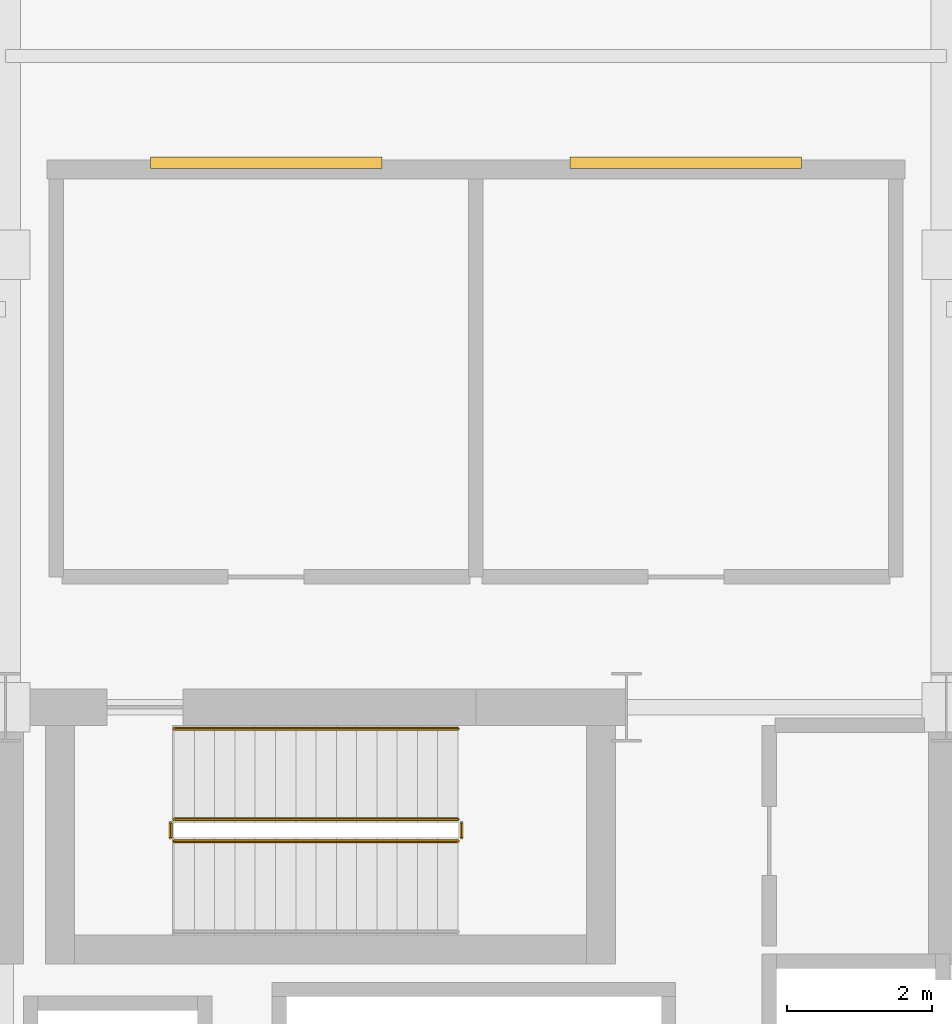
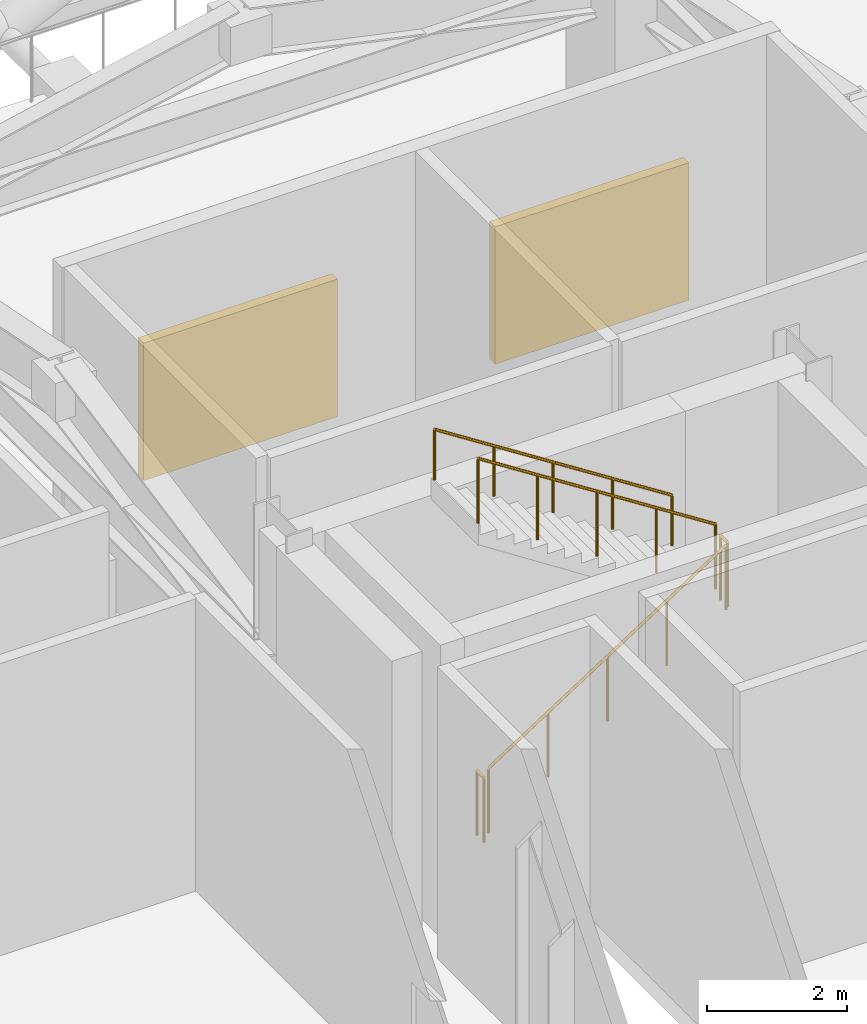
# One storey, part 8 of 9: 5 railings, 2 shading devices.
"""IFC4 building model written with IfcOpenShell, lengths in metres."""

from ifc_helpers import new_model, si_unit, direction, frame, origin, origin_2d, place, context, subcontext, project, spatial, rectangle, circle, extrude, material, type_object, element, save


model = new_model("IFC4")

# Units and contexts
model_context = context("Model", 3, precision=1e-05, world=origin(), true_north=direction((0.0, 1.0)))
body_context = subcontext(model_context, "Body", "Model", "MODEL_VIEW")
ifc_project = project(units=[si_unit("LENGTHUNIT", "METRE"), si_unit("AREAUNIT", "SQUARE_METRE"), si_unit("VOLUMEUNIT", "CUBIC_METRE"), si_unit("PLANEANGLEUNIT", "RADIAN"), si_unit("MASSUNIT", "GRAM", prefix="KILO")], contexts=[model_context])

# Site, building, storey
site_placement = place(None, origin())
site = spatial("IfcSite", under=ifc_project, at=site_placement, CompositionType="ELEMENT")
building_placement = place(site_placement, origin())
building = spatial("IfcBuilding", under=site, at=building_placement, Name="Barlavira Tower and Art Museum", CompositionType="ELEMENT")
storey_placement = place(building_placement, frame((0.0, 0.0, 93.60009765625)))
storey = spatial("IfcBuildingStorey", under=building, at=storey_placement, Name="L23", CompositionType="ELEMENT", Elevation=93.60009765625)

# Shading devices
ifc_material_1 = material(Name="Pale anodised aluminium", Category="aluminium")
shading_device_type = type_object("IfcShadingDeviceType", Name="Crown Acoustic Weatherproof Plant Louvre Panel", PredefinedType="USERDEFINED", material=ifc_material_1)
for number, where, z_axis, x_axis, name in (
    (1, (-2.89990234375, 15.02001953125, 0.800048828125), (0.0, 0.0, 1.0), (1.0, 0.0, 0.0), "L23 Plant Intake Louvre 3"),
    (2, (2.89990234375, 15.02001953125, 0.800048828125), (0.0, 0.0, 1.0), (1.0, 0.0, 0.0), "L23 Plant Intake Louvre 4"),
):
    element("IfcShadingDevice", number, at=place(storey_placement, frame(where, z_axis=z_axis, x_axis=x_axis)), inside=storey, type_object=shading_device_type, Name=name, ObjectType="LOUVER", PredefinedType="USERDEFINED", context=body_context, shape_type="SweptSolid", body=[
        extrude(rectangle(XDim=3.199951171875, YDim=0.159912109375, at=origin_2d()), origin(), (0.0, 0.0, 1.0), 2.39990234375),
    ])

# Railings
ifc_material_2 = material(Name="Brushed stainless steel", Category="steel")
railing_type_1 = type_object("IfcRailingType", Name="Interior Void and Landing Guard Railing 1150", PredefinedType="GUARDRAIL", material=ifc_material_2)
railing_1_placement = place(storey_placement, frame((-4.169921875, 5.64990234375, 0.179931640625)))
element("IfcRailing", 3, at=railing_1_placement, inside=storey, type_object=railing_type_1, Name="L23 ST-T2 stair guard 1", PredefinedType="GUARDRAIL", context=body_context, shape_type="SweptSolid", body=[
    extrude(circle(Radius=0.02392578125, at=origin_2d()), frame((0.0, 0.0, 1.1259765625), z_axis=(0.841171666519, 0.0, 0.540768182723), x_axis=(0.0, 1.0, 0.0)), (0.0, 0.0, 1.0), 4.66015625),
    extrude(circle(Radius=0.02099609375, at=origin_2d()), origin(), (0.0, 0.0, 1.0), 1.101806640625),
    extrude(circle(Radius=0.02099609375, at=origin_2d()), frame((0.97998046875, 0.0, 0.6298828125)), (0.0, 0.0, 1.0), 1.101806640625),
    extrude(circle(Radius=0.02099609375, at=origin_2d()), frame((1.9599609375, 0.0, 1.260009765625)), (0.0, 0.0, 1.0), 1.101806640625),
    extrude(circle(Radius=0.02099609375, at=origin_2d()), frame((2.93994140625, 0.0, 1.89013671875)), (0.0, 0.0, 1.0), 1.101806640625),
    extrude(circle(Radius=0.02099609375, at=origin_2d()), frame((3.919921875, 0.0, 2.52001953125)), (0.0, 0.0, 1.0), 1.101806640625),
])
railing_2_placement = place(storey_placement, frame((-0.199951171875, 5.699951171875, 2.699951171875)))
element("IfcRailing", 4, at=railing_2_placement, inside=storey, type_object=railing_type_1, Name="L23 ST-T2 stair guard 2", PredefinedType="GUARDRAIL", context=body_context, shape_type="SweptSolid", body=[
    extrude(circle(Radius=0.02392578125, at=origin_2d()), frame((0.0, 0.0, 1.1259765625), z_axis=(0.0, 1.0, 0.0), x_axis=(-1.0, 0.0, 0.0)), (0.0, 0.0, 1.0), 0.199951171875),
    extrude(circle(Radius=0.02099609375, at=origin_2d()), origin(), (0.0, 0.0, 1.0), 1.101806640625),
    extrude(circle(Radius=0.02099609375, at=origin_2d()), frame((0.0, 0.199951171875, 0.0)), (0.0, 0.0, 1.0), 1.101806640625),
])
railing_3_placement = place(storey_placement, frame((-0.25, 5.949951171875, 2.8798828125)))
element("IfcRailing", 5, at=railing_3_placement, inside=storey, type_object=railing_type_1, Name="L23 ST-T2 stair guard 3", PredefinedType="GUARDRAIL", context=body_context, shape_type="SweptSolid", body=[
    extrude(circle(Radius=0.02392578125, at=origin_2d()), frame((0.0, 0.0, 1.1259765625), z_axis=(-0.841171666519, 0.0, 0.540768182723), x_axis=(0.0, -1.0, 0.0)), (0.0, 0.0, 1.0), 4.66015625),
    extrude(circle(Radius=0.02099609375, at=origin_2d()), origin(), (0.0, 0.0, 1.0), 1.101806640625),
    extrude(circle(Radius=0.02099609375, at=origin_2d()), frame((-0.97998046875, 0.0, 0.6298828125)), (0.0, 0.0, 1.0), 1.101806640625),
    extrude(circle(Radius=0.02099609375, at=origin_2d()), frame((-1.9599609375, 0.0, 1.260009765625)), (0.0, 0.0, 1.0), 1.101806640625),
    extrude(circle(Radius=0.02099609375, at=origin_2d()), frame((-2.93994140625, 0.0, 1.89013671875)), (0.0, 0.0, 1.0), 1.101806640625),
    extrude(circle(Radius=0.02099609375, at=origin_2d()), frame((-3.919921875, 0.0, 2.52001953125)), (0.0, 0.0, 1.0), 1.101806640625),
])
railing_4_placement = place(storey_placement, frame((-4.219970703125, 5.699951171875, 0.0)))
element("IfcRailing", 6, at=railing_4_placement, inside=storey, type_object=railing_type_1, Name="L23 ST-T2 stair guard 4", PredefinedType="GUARDRAIL", context=body_context, shape_type="SweptSolid", body=[
    extrude(circle(Radius=0.02392578125, at=origin_2d()), frame((0.0, 0.0, 1.1259765625), z_axis=(0.0, 1.0, 0.0), x_axis=(-1.0, 0.0, 0.0)), (0.0, 0.0, 1.0), 0.199951171875),
    extrude(circle(Radius=0.02099609375, at=origin_2d()), origin(), (0.0, 0.0, 1.0), 1.101806640625),
    extrude(circle(Radius=0.02099609375, at=origin_2d()), frame((0.0, 0.199951171875, 0.0)), (0.0, 0.0, 1.0), 1.101806640625),
])
railing_type_2 = type_object("IfcRailingType", Name="Stair Pitch Tubular Steel Handrail 920", PredefinedType="HANDRAIL", material=ifc_material_2)
railing_5_placement = place(storey_placement, frame((-0.25, 7.199951171875, 2.8798828125)))
element("IfcRailing", 7, at=railing_5_placement, inside=storey, type_object=railing_type_2, Name="L23 ST-T2 stair handrail 2", PredefinedType="HANDRAIL", context=body_context, shape_type="SweptSolid", body=[
    extrude(circle(Radius=0.02392578125, at=origin_2d()), frame((0.0, 0.0, 0.8759765625), z_axis=(-0.841171666519, 0.0, 0.540768182723), x_axis=(0.0, -1.0, 0.0)), (0.0, 0.0, 1.0), 4.66015625),
    extrude(circle(Radius=0.02099609375, at=origin_2d()), origin(), (0.0, 0.0, 1.0), 0.851806640625),
    extrude(circle(Radius=0.02099609375, at=origin_2d()), frame((-0.97998046875, 0.0, 0.6298828125)), (0.0, 0.0, 1.0), 0.851806640625),
    extrude(circle(Radius=0.02099609375, at=origin_2d()), frame((-1.9599609375, 0.0, 1.260009765625)), (0.0, 0.0, 1.0), 0.851806640625),
    extrude(circle(Radius=0.02099609375, at=origin_2d()), frame((-2.93994140625, 0.0, 1.89013671875)), (0.0, 0.0, 1.0), 0.851806640625),
    extrude(circle(Radius=0.02099609375, at=origin_2d()), frame((-3.919921875, 0.0, 2.52001953125)), (0.0, 0.0, 1.0), 0.851806640625),
])

save(model, "model.ifc")
